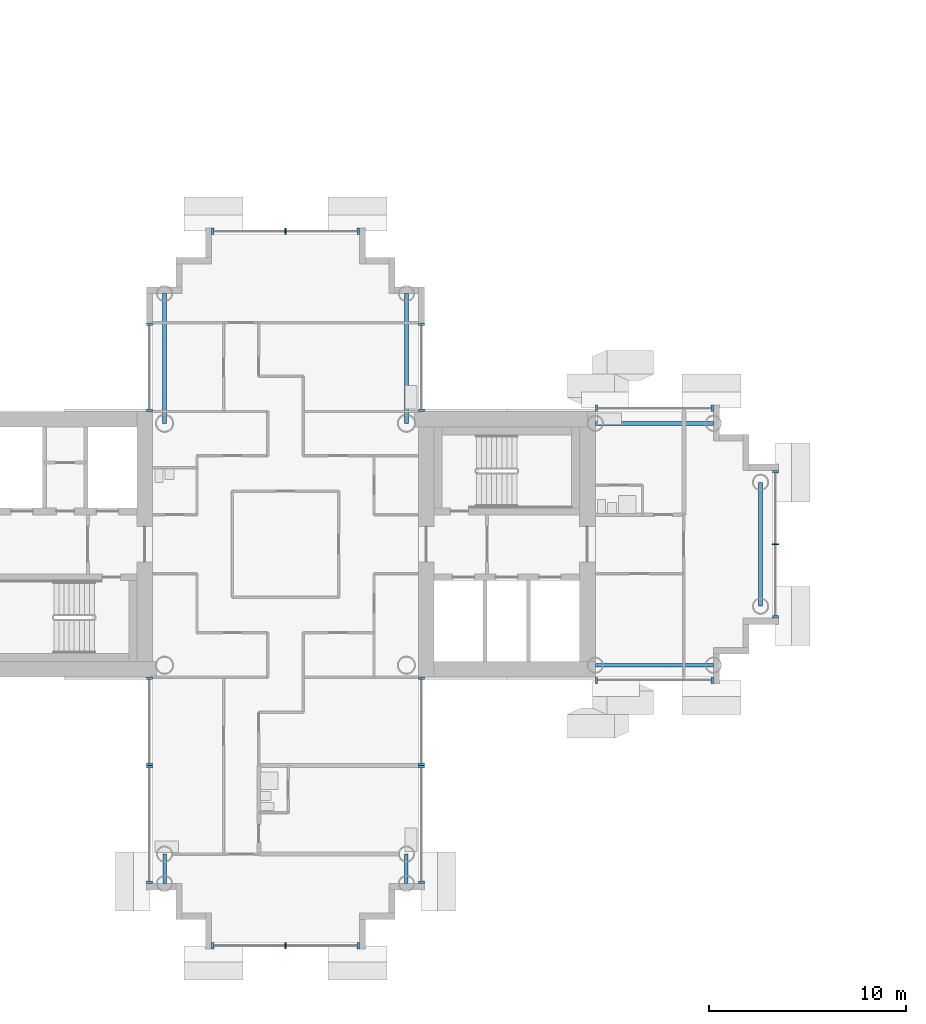
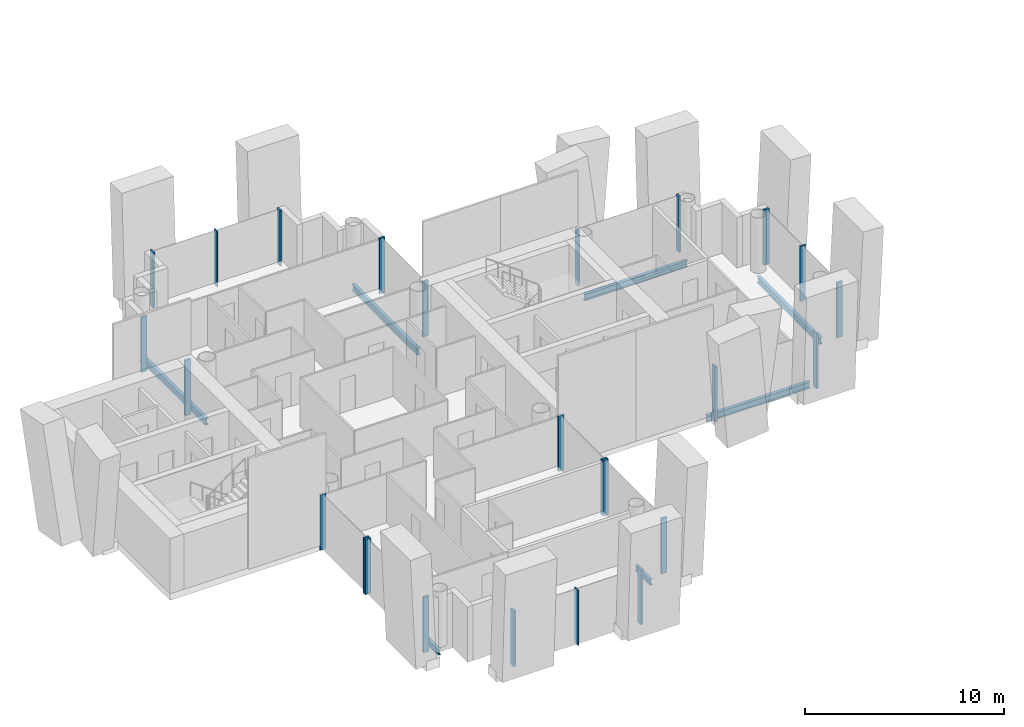
# One storey, part 3 of 19: 25 members, 7 beams, 11 elements without a shape of their own.
"""IFC4 building model written with IfcOpenShell, lengths in metres."""

from ifc_helpers import new_model, si_unit, direction, frame, origin, origin_2d, place, context, subcontext, project, spatial, rectangle, i_section, extrude, material, layer, layer_set, material_profile, profile_set, type_object, element, aggregate, save


model = new_model("IFC4")

# Units and contexts
model_context = context("Model", 3, precision=1e-05, world=origin(), true_north=direction((0.0, 1.0)))
body_context = subcontext(model_context, "Body", "Model", "MODEL_VIEW")
ifc_project = project(units=[si_unit("LENGTHUNIT", "METRE"), si_unit("AREAUNIT", "SQUARE_METRE"), si_unit("VOLUMEUNIT", "CUBIC_METRE"), si_unit("PLANEANGLEUNIT", "RADIAN"), si_unit("MASSUNIT", "GRAM", prefix="KILO")], contexts=[model_context])

# Site, building, storey
site_placement = place(None, origin())
site = spatial("IfcSite", under=ifc_project, at=site_placement, CompositionType="ELEMENT")
building_placement = place(site_placement, origin())
building = spatial("IfcBuilding", under=site, at=building_placement, Name="Ipe Terrace Towers", CompositionType="ELEMENT")
storey_placement = place(building_placement, frame((0.0, 0.0, 157.5)))
storey = spatial("IfcBuildingStorey", under=building, at=storey_placement, Name="L43", CompositionType="ELEMENT", Elevation=157.5)

# Beams
ifc_material_1 = material(Name="Steel S355", Category="steel")
ifc_material_profile_1 = material_profile(ifc_material_1, i_section(OverallWidth=0.175048828125, OverallDepth=0.35009765625, WebThickness=0.007080078125, FlangeThickness=0.010986328125, at=origin_2d()), Name="H-350x175x7x11")
ifc_profile_set_1 = profile_set([ifc_material_profile_1], Name="Steel S355")
beam_type_1 = type_object("IfcBeamType", Name="H04 EDGE BEAM H-350x175x7x11", PredefinedType="BEAM", material=ifc_profile_set_1)
for number, where, z_axis, x_axis, name in (
    (1, (-42.14990234375, -15.75, -0.574951171875), (0.0, -1.0, 0.0), (1.0, 0.0, 0.0), "Edge beam T1-EB-D03-D05"),
    (2, (-29.85009765625, -15.75, -0.574951171875), (0.0, -1.0, 0.0), (1.0, 0.0, 0.0), "Edge beam T1-EB-D04-D06"),
):
    element("IfcBeam", number, at=place(storey_placement, frame(where, z_axis=z_axis, x_axis=x_axis)), inside=storey, type_object=beam_type_1, Name=name, PredefinedType="BEAM", context=body_context, shape_type="SweptSolid", body=[
        extrude(i_section(OverallWidth=0.175048828125, OverallDepth=0.35009765625, WebThickness=0.007080078125, FlangeThickness=0.010986328125, at=origin_2d()), origin(), (0.0, 0.0, 1.0), 1.5),
    ])
ifc_material_2 = material(Name="Steel S355", Category="steel")
ifc_material_profile_2 = material_profile(ifc_material_2, i_section(OverallWidth=0.199951171875, OverallDepth=0.39990234375, WebThickness=0.008056640625, FlangeThickness=0.012939453125, at=origin_2d()), Name="H-400x200x8x13")
ifc_profile_set_2 = profile_set([ifc_material_profile_2], Name="Steel S355")
beam_type_2 = type_object("IfcBeamType", Name="H06 EDGE BEAM H-400x200x8x13", PredefinedType="BEAM", material=ifc_profile_set_2)
for number, where, z_axis, x_axis, name in (
    (3, (-20.25, -6.14990234375, -0.60009765625), (1.0, 0.0, 0.0), (0.0, 1.0, 0.0), "Edge beam T1-EB-A01-A03"),
    (4, (-20.25, 6.14990234375, -0.60009765625), (1.0, 0.0, 0.0), (0.0, 1.0, 0.0), "Edge beam T1-EB-A02-A04"),
):
    element("IfcBeam", number, at=place(storey_placement, frame(where, z_axis=z_axis, x_axis=x_axis)), inside=storey, type_object=beam_type_2, Name=name, PredefinedType="BEAM", context=body_context, shape_type="SweptSolid", body=[
        extrude(i_section(OverallWidth=0.199951171875, OverallDepth=0.39990234375, WebThickness=0.008056640625, FlangeThickness=0.012939453125, at=origin_2d()), origin(), (0.0, 0.0, 1.0), 6.0),
    ])
beam_placement = place(storey_placement, frame((-11.85009765625, -3.14990234375, -0.60009765625), z_axis=(0.0, 1.0, 0.0), x_axis=(-1.0, 0.0, 0.0)))
element("IfcBeam", 5, at=beam_placement, inside=storey, type_object=beam_type_2, Name="Edge beam T1-EB-A05-A06", PredefinedType="BEAM", context=body_context, shape_type="SweptSolid", body=[
    extrude(i_section(OverallWidth=0.199951171875, OverallDepth=0.39990234375, WebThickness=0.008056640625, FlangeThickness=0.012939453125, at=origin_2d()), origin(), (0.0, 0.0, 1.0), 6.2998046875),
])
for number, where, z_axis, x_axis, name in (
    (6, (-29.85009765625, 12.75, -0.60009765625), (0.0, -1.0, 0.0), (1.0, 0.0, 0.0), "Edge beam T1-EB-B01-E03"),
    (7, (-42.14990234375, 12.75, -0.60009765625), (0.0, -1.0, 0.0), (1.0, 0.0, 0.0), "Edge beam T1-EB-B02-E04"),
):
    element("IfcBeam", number, at=place(storey_placement, frame(where, z_axis=z_axis, x_axis=x_axis)), inside=storey, type_object=beam_type_2, Name=name, PredefinedType="BEAM", context=body_context, shape_type="SweptSolid", body=[
        extrude(i_section(OverallWidth=0.199951171875, OverallDepth=0.39990234375, WebThickness=0.008056640625, FlangeThickness=0.012939453125, at=origin_2d()), origin(), (0.0, 0.0, 1.0), 6.60009765625),
    ])

# Curtain wall, members
ifc_material_3 = material(Name="Aluminium alloy 6063-T6", Category="aluminium")
ifc_layer = layer(ifc_material_3, 0.320068359375)
ifc_layer_set = layer_set([ifc_layer], Name="TOWER UNITISED CURTAIN WALL")
curtain_wall_type = type_object("IfcCurtainWallType", Name="TOWER UNITISED CURTAIN WALL", PredefinedType="NOTDEFINED", material=ifc_layer_set)
curtain_wall_1_placement = place(storey_placement, origin())
curtain_wall_1 = element("IfcCurtainWall", 8, at=curtain_wall_1_placement, inside=storey, type_object=curtain_wall_type, Name="T1-CW-L43-02a curtain wall", PredefinedType="NOTDEFINED")
ifc_material_4 = material(Name="Aluminium alloy 6063-T6", Category="aluminium")
ifc_material_profile_3 = material_profile(ifc_material_4, rectangle(XDim=0.320068359375, YDim=0.1201171875, at=origin_2d()), Name="TOWER UNITISED CORNER MULLION 320 x 120")
ifc_profile_set_3 = profile_set([ifc_material_profile_3], Name="Aluminium alloy 6063-T6")
member_type_1 = type_object("IfcMemberType", Name="TOWER UNITISED CORNER MULLION 320 x 120", PredefinedType="MULLION", material=ifc_profile_set_3)
member_1_placement = place(storey_placement, frame((-42.909912109375, -6.81005859375, -0.300048828125), z_axis=(0.0, 0.0, 1.0), x_axis=(-1.0, 0.0, 0.0)))
member_1 = element("IfcMember", 9, at=member_1_placement, type_object=member_type_1, Name="T1-CW-L43-02a mullion 1", PredefinedType="MULLION", context=body_context, shape_type="SweptSolid", body=[
    extrude(rectangle(XDim=0.320068359375, YDim=0.1201171875, at=origin_2d()), origin(), (0.0, 0.0, 1.0), 3.400146484375),
])
member_2_placement = place(storey_placement, frame((-42.909912109375, -11.18994140625, -0.300048828125), z_axis=(0.0, 0.0, 1.0), x_axis=(-1.0, 0.0, 0.0)))
member_2 = element("IfcMember", 10, at=member_2_placement, type_object=member_type_1, Name="T1-CW-L43-02a mullion 2", PredefinedType="MULLION", context=body_context, shape_type="SweptSolid", body=[
    extrude(rectangle(XDim=0.320068359375, YDim=0.1201171875, at=origin_2d()), origin(), (0.0, 0.0, 1.0), 3.400146484375),
])
aggregate(curtain_wall_1, [member_1, member_2])

curtain_wall_2_placement = place(storey_placement, origin())
curtain_wall_2 = element("IfcCurtainWall", 11, at=curtain_wall_2_placement, inside=storey, type_object=curtain_wall_type, Name="T1-CW-L43-03a curtain wall", PredefinedType="NOTDEFINED")
member_3_placement = place(storey_placement, frame((-42.909912109375, -11.31005859375, -0.300048828125), z_axis=(0.0, 0.0, 1.0), x_axis=(-1.0, 0.0, 0.0)))
member_3 = element("IfcMember", 12, at=member_3_placement, type_object=member_type_1, Name="T1-CW-L43-03a mullion 1", PredefinedType="MULLION", context=body_context, shape_type="SweptSolid", body=[
    extrude(rectangle(XDim=0.320068359375, YDim=0.1201171875, at=origin_2d()), origin(), (0.0, 0.0, 1.0), 3.400146484375),
])
member_4_placement = place(storey_placement, frame((-42.909912109375, -17.18994140625, -0.300048828125), z_axis=(0.0, 0.0, 1.0), x_axis=(-1.0, 0.0, 0.0)))
member_4 = element("IfcMember", 13, at=member_4_placement, type_object=member_type_1, Name="T1-CW-L43-03a mullion 2", PredefinedType="MULLION", context=body_context, shape_type="SweptSolid", body=[
    extrude(rectangle(XDim=0.320068359375, YDim=0.1201171875, at=origin_2d()), origin(), (0.0, 0.0, 1.0), 3.400146484375),
])
aggregate(curtain_wall_2, [member_3, member_4])

curtain_wall_3_placement = place(storey_placement, origin())
curtain_wall_3 = element("IfcCurtainWall", 14, at=curtain_wall_3_placement, inside=storey, type_object=curtain_wall_type, Name="T1-CW-L43-08a curtain wall", PredefinedType="NOTDEFINED")
member_5_placement = place(storey_placement, frame((-39.68994140625, -20.409912109375, -0.300048828125), z_axis=(0.0, 0.0, 1.0), x_axis=(0.0, -1.0, 0.0)))
member_5 = element("IfcMember", 15, at=member_5_placement, type_object=member_type_1, Name="T1-CW-L43-08a mullion 1", PredefinedType="MULLION", context=body_context, shape_type="SweptSolid", body=[
    extrude(rectangle(XDim=0.320068359375, YDim=0.1201171875, at=origin_2d()), origin(), (0.0, 0.0, 1.0), 3.400146484375),
])
member_6_placement = place(storey_placement, frame((-32.31005859375, -20.409912109375, -0.300048828125), z_axis=(0.0, 0.0, 1.0), x_axis=(0.0, -1.0, 0.0)))
member_6 = element("IfcMember", 16, at=member_6_placement, type_object=member_type_1, Name="T1-CW-L43-08a mullion 3", PredefinedType="MULLION", context=body_context, shape_type="SweptSolid", body=[
    extrude(rectangle(XDim=0.320068359375, YDim=0.1201171875, at=origin_2d()), origin(), (0.0, 0.0, 1.0), 3.400146484375),
])

curtain_wall_4_placement = place(storey_placement, origin())
curtain_wall_4 = element("IfcCurtainWall", 17, at=curtain_wall_4_placement, inside=storey, type_object=curtain_wall_type, Name="T1-CW-L43-13a curtain wall", PredefinedType="NOTDEFINED")
member_7_placement = place(storey_placement, frame((-29.090087890625, -17.18994140625, -0.300048828125), z_axis=(0.0, 0.0, 1.0), x_axis=(1.0, 0.0, 0.0)))
member_7 = element("IfcMember", 18, at=member_7_placement, type_object=member_type_1, Name="T1-CW-L43-13a mullion 1", PredefinedType="MULLION", context=body_context, shape_type="SweptSolid", body=[
    extrude(rectangle(XDim=0.320068359375, YDim=0.1201171875, at=origin_2d()), origin(), (0.0, 0.0, 1.0), 3.400146484375),
])
member_8_placement = place(storey_placement, frame((-29.090087890625, -11.31005859375, -0.300048828125), z_axis=(0.0, 0.0, 1.0), x_axis=(1.0, 0.0, 0.0)))
member_8 = element("IfcMember", 19, at=member_8_placement, type_object=member_type_1, Name="T1-CW-L43-13a mullion 2", PredefinedType="MULLION", context=body_context, shape_type="SweptSolid", body=[
    extrude(rectangle(XDim=0.320068359375, YDim=0.1201171875, at=origin_2d()), origin(), (0.0, 0.0, 1.0), 3.400146484375),
])
aggregate(curtain_wall_4, [member_7, member_8])

curtain_wall_5_placement = place(storey_placement, origin())
curtain_wall_5 = element("IfcCurtainWall", 20, at=curtain_wall_5_placement, inside=storey, type_object=curtain_wall_type, Name="T1-CW-L43-14a curtain wall", PredefinedType="NOTDEFINED")
member_9_placement = place(storey_placement, frame((-29.090087890625, -11.18994140625, -0.300048828125), z_axis=(0.0, 0.0, 1.0), x_axis=(1.0, 0.0, 0.0)))
member_9 = element("IfcMember", 21, at=member_9_placement, type_object=member_type_1, Name="T1-CW-L43-14a mullion 1", PredefinedType="MULLION", context=body_context, shape_type="SweptSolid", body=[
    extrude(rectangle(XDim=0.320068359375, YDim=0.1201171875, at=origin_2d()), origin(), (0.0, 0.0, 1.0), 3.400146484375),
])
member_10_placement = place(storey_placement, frame((-29.090087890625, -6.81005859375, -0.300048828125), z_axis=(0.0, 0.0, 1.0), x_axis=(1.0, 0.0, 0.0)))
member_10 = element("IfcMember", 22, at=member_10_placement, type_object=member_type_1, Name="T1-CW-L43-14a mullion 2", PredefinedType="MULLION", context=body_context, shape_type="SweptSolid", body=[
    extrude(rectangle(XDim=0.320068359375, YDim=0.1201171875, at=origin_2d()), origin(), (0.0, 0.0, 1.0), 3.400146484375),
])
aggregate(curtain_wall_5, [member_9, member_10])

curtain_wall_6_placement = place(storey_placement, origin())
curtain_wall_6 = element("IfcCurtainWall", 23, at=curtain_wall_6_placement, inside=storey, type_object=curtain_wall_type, Name="T1-CW-L43-16b curtain wall", PredefinedType="NOTDEFINED")
member_11_placement = place(storey_placement, frame((-20.18896484375, -6.909912109375, -0.300048828125), z_axis=(0.0, 0.0, 1.0), x_axis=(0.0, -1.0, 0.0)))
member_11 = element("IfcMember", 24, at=member_11_placement, type_object=member_type_1, Name="T1-CW-L43-16b mullion 1", PredefinedType="MULLION", context=body_context, shape_type="SweptSolid", body=[
    extrude(rectangle(XDim=0.320068359375, YDim=0.1201171875, at=origin_2d()), origin(), (0.0, 0.0, 1.0), 3.400146484375),
])
member_12_placement = place(storey_placement, frame((-14.31005859375, -6.909912109375, -0.300048828125), z_axis=(0.0, 0.0, 1.0), x_axis=(0.0, -1.0, 0.0)))
member_12 = element("IfcMember", 25, at=member_12_placement, type_object=member_type_1, Name="T1-CW-L43-16b mullion 2", PredefinedType="MULLION", context=body_context, shape_type="SweptSolid", body=[
    extrude(rectangle(XDim=0.320068359375, YDim=0.1201171875, at=origin_2d()), origin(), (0.0, 0.0, 1.0), 3.400146484375),
])
aggregate(curtain_wall_6, [member_11, member_12])

curtain_wall_7_placement = place(storey_placement, origin())
curtain_wall_7 = element("IfcCurtainWall", 26, at=curtain_wall_7_placement, inside=storey, type_object=curtain_wall_type, Name="T1-CW-L43-21a curtain wall", PredefinedType="NOTDEFINED")
member_13_placement = place(storey_placement, frame((-11.090087890625, -3.68994140625, -0.300048828125), z_axis=(0.0, 0.0, 1.0), x_axis=(1.0, 0.0, 0.0)))
member_13 = element("IfcMember", 27, at=member_13_placement, type_object=member_type_1, Name="T1-CW-L43-21a mullion 1", PredefinedType="MULLION", context=body_context, shape_type="SweptSolid", body=[
    extrude(rectangle(XDim=0.320068359375, YDim=0.1201171875, at=origin_2d()), origin(), (0.0, 0.0, 1.0), 3.400146484375),
])
member_14_placement = place(storey_placement, frame((-11.090087890625, 3.68994140625, -0.300048828125), z_axis=(0.0, 0.0, 1.0), x_axis=(1.0, 0.0, 0.0)))
member_14 = element("IfcMember", 28, at=member_14_placement, type_object=member_type_1, Name="T1-CW-L43-21a mullion 3", PredefinedType="MULLION", context=body_context, shape_type="SweptSolid", body=[
    extrude(rectangle(XDim=0.320068359375, YDim=0.1201171875, at=origin_2d()), origin(), (0.0, 0.0, 1.0), 3.400146484375),
])

curtain_wall_8_placement = place(storey_placement, origin())
curtain_wall_8 = element("IfcCurtainWall", 29, at=curtain_wall_8_placement, inside=storey, type_object=curtain_wall_type, Name="T1-CW-L43-26a curtain wall", PredefinedType="NOTDEFINED")
member_15_placement = place(storey_placement, frame((-14.31005859375, 6.909912109375, -0.300048828125), z_axis=(0.0, 0.0, 1.0), x_axis=(0.0, 1.0, 0.0)))
member_15 = element("IfcMember", 30, at=member_15_placement, type_object=member_type_1, Name="T1-CW-L43-26a mullion 1", PredefinedType="MULLION", context=body_context, shape_type="SweptSolid", body=[
    extrude(rectangle(XDim=0.320068359375, YDim=0.1201171875, at=origin_2d()), origin(), (0.0, 0.0, 1.0), 3.400146484375),
])
member_16_placement = place(storey_placement, frame((-20.18896484375, 6.909912109375, -0.300048828125), z_axis=(0.0, 0.0, 1.0), x_axis=(0.0, 1.0, 0.0)))
member_16 = element("IfcMember", 31, at=member_16_placement, type_object=member_type_1, Name="T1-CW-L43-26a mullion 2", PredefinedType="MULLION", context=body_context, shape_type="SweptSolid", body=[
    extrude(rectangle(XDim=0.320068359375, YDim=0.1201171875, at=origin_2d()), origin(), (0.0, 0.0, 1.0), 3.400146484375),
])
aggregate(curtain_wall_8, [member_15, member_16])

curtain_wall_9_placement = place(storey_placement, origin())
curtain_wall_9 = element("IfcCurtainWall", 32, at=curtain_wall_9_placement, inside=storey, type_object=curtain_wall_type, Name="T1-CW-L43-28a curtain wall", PredefinedType="NOTDEFINED")
member_17_placement = place(storey_placement, frame((-29.090087890625, 6.81005859375, -0.300048828125), z_axis=(0.0, 0.0, 1.0), x_axis=(1.0, 0.0, 0.0)))
member_17 = element("IfcMember", 33, at=member_17_placement, type_object=member_type_1, Name="T1-CW-L43-28a mullion 1", PredefinedType="MULLION", context=body_context, shape_type="SweptSolid", body=[
    extrude(rectangle(XDim=0.320068359375, YDim=0.1201171875, at=origin_2d()), origin(), (0.0, 0.0, 1.0), 3.400146484375),
])
member_18_placement = place(storey_placement, frame((-29.090087890625, 11.18994140625, -0.300048828125), z_axis=(0.0, 0.0, 1.0), x_axis=(1.0, 0.0, 0.0)))
member_18 = element("IfcMember", 34, at=member_18_placement, type_object=member_type_1, Name="T1-CW-L43-28a mullion 2", PredefinedType="MULLION", context=body_context, shape_type="SweptSolid", body=[
    extrude(rectangle(XDim=0.320068359375, YDim=0.1201171875, at=origin_2d()), origin(), (0.0, 0.0, 1.0), 3.400146484375),
])
aggregate(curtain_wall_9, [member_17, member_18])

curtain_wall_10_placement = place(storey_placement, origin())
curtain_wall_10 = element("IfcCurtainWall", 35, at=curtain_wall_10_placement, inside=storey, type_object=curtain_wall_type, Name="T1-CW-L43-34a curtain wall", PredefinedType="NOTDEFINED")
member_19_placement = place(storey_placement, frame((-32.31005859375, 15.909912109375, -0.300048828125), z_axis=(0.0, 0.0, 1.0), x_axis=(0.0, 1.0, 0.0)))
member_19 = element("IfcMember", 36, at=member_19_placement, type_object=member_type_1, Name="T1-CW-L43-34a mullion 1", PredefinedType="MULLION", context=body_context, shape_type="SweptSolid", body=[
    extrude(rectangle(XDim=0.320068359375, YDim=0.1201171875, at=origin_2d()), origin(), (0.0, 0.0, 1.0), 3.400146484375),
])
member_20_placement = place(storey_placement, frame((-39.68994140625, 15.909912109375, -0.300048828125), z_axis=(0.0, 0.0, 1.0), x_axis=(0.0, 1.0, 0.0)))
member_20 = element("IfcMember", 37, at=member_20_placement, type_object=member_type_1, Name="T1-CW-L43-34a mullion 3", PredefinedType="MULLION", context=body_context, shape_type="SweptSolid", body=[
    extrude(rectangle(XDim=0.320068359375, YDim=0.1201171875, at=origin_2d()), origin(), (0.0, 0.0, 1.0), 3.400146484375),
])

curtain_wall_11_placement = place(storey_placement, origin())
curtain_wall_11 = element("IfcCurtainWall", 38, at=curtain_wall_11_placement, inside=storey, type_object=curtain_wall_type, Name="T1-CW-L43-40a curtain wall", PredefinedType="NOTDEFINED")
member_21_placement = place(storey_placement, frame((-42.909912109375, 11.18994140625, -0.300048828125), z_axis=(0.0, 0.0, 1.0), x_axis=(-1.0, 0.0, 0.0)))
member_21 = element("IfcMember", 39, at=member_21_placement, type_object=member_type_1, Name="T1-CW-L43-40a mullion 1", PredefinedType="MULLION", context=body_context, shape_type="SweptSolid", body=[
    extrude(rectangle(XDim=0.320068359375, YDim=0.1201171875, at=origin_2d()), origin(), (0.0, 0.0, 1.0), 3.400146484375),
])
member_22_placement = place(storey_placement, frame((-42.909912109375, 6.81005859375, -0.300048828125), z_axis=(0.0, 0.0, 1.0), x_axis=(-1.0, 0.0, 0.0)))
member_22 = element("IfcMember", 40, at=member_22_placement, type_object=member_type_1, Name="T1-CW-L43-40a mullion 2", PredefinedType="MULLION", context=body_context, shape_type="SweptSolid", body=[
    extrude(rectangle(XDim=0.320068359375, YDim=0.1201171875, at=origin_2d()), origin(), (0.0, 0.0, 1.0), 3.400146484375),
])
aggregate(curtain_wall_11, [member_21, member_22])

# Member
ifc_material_5 = material(Name="Aluminium alloy 6063-T6", Category="aluminium")
ifc_material_profile_4 = material_profile(ifc_material_5, rectangle(XDim=0.320068359375, YDim=0.06494140625, at=origin_2d()), Name="TOWER UNITISED MULLION 320 x 65")
ifc_profile_set_4 = profile_set([ifc_material_profile_4], Name="Aluminium alloy 6063-T6")
member_type_2 = type_object("IfcMemberType", Name="TOWER UNITISED MULLION 320 x 65", PredefinedType="MULLION", material=ifc_profile_set_4)
member_23_placement = place(storey_placement, frame((-36.0, -20.409912109375, -0.300048828125), z_axis=(0.0, 0.0, 1.0), x_axis=(0.0, -1.0, 0.0)))
member_23 = element("IfcMember", 41, at=member_23_placement, type_object=member_type_2, Name="T1-CW-L43-08a mullion 2", PredefinedType="MULLION", context=body_context, shape_type="SweptSolid", body=[
    extrude(rectangle(XDim=0.320068359375, YDim=0.06494140625, at=origin_2d()), origin(), (0.0, 0.0, 1.0), 3.400146484375),
])

aggregate(curtain_wall_3, [member_5, member_23, member_6])

member_24_placement = place(storey_placement, frame((-11.090087890625, 0.0, -0.300048828125), z_axis=(0.0, 0.0, 1.0), x_axis=(1.0, 0.0, 0.0)))
member_24 = element("IfcMember", 42, at=member_24_placement, type_object=member_type_2, Name="T1-CW-L43-21a mullion 2", PredefinedType="MULLION", context=body_context, shape_type="SweptSolid", body=[
    extrude(rectangle(XDim=0.320068359375, YDim=0.06494140625, at=origin_2d()), origin(), (0.0, 0.0, 1.0), 3.400146484375),
])

aggregate(curtain_wall_7, [member_13, member_24, member_14])

member_25_placement = place(storey_placement, frame((-36.0, 15.909912109375, -0.300048828125), z_axis=(0.0, 0.0, 1.0), x_axis=(0.0, 1.0, 0.0)))
member_25 = element("IfcMember", 43, at=member_25_placement, type_object=member_type_2, Name="T1-CW-L43-34a mullion 2", PredefinedType="MULLION", context=body_context, shape_type="SweptSolid", body=[
    extrude(rectangle(XDim=0.320068359375, YDim=0.06494140625, at=origin_2d()), origin(), (0.0, 0.0, 1.0), 3.400146484375),
])

aggregate(curtain_wall_10, [member_19, member_25, member_20])

save(model, "model.ifc")
